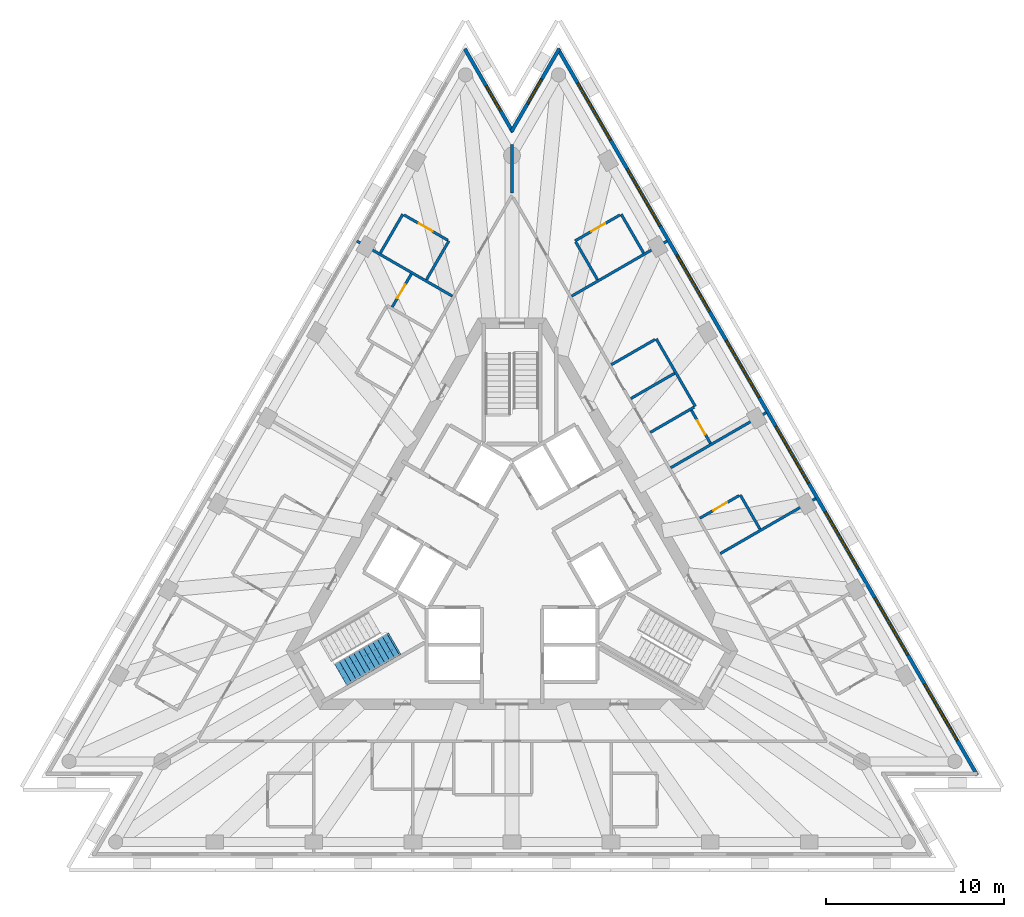
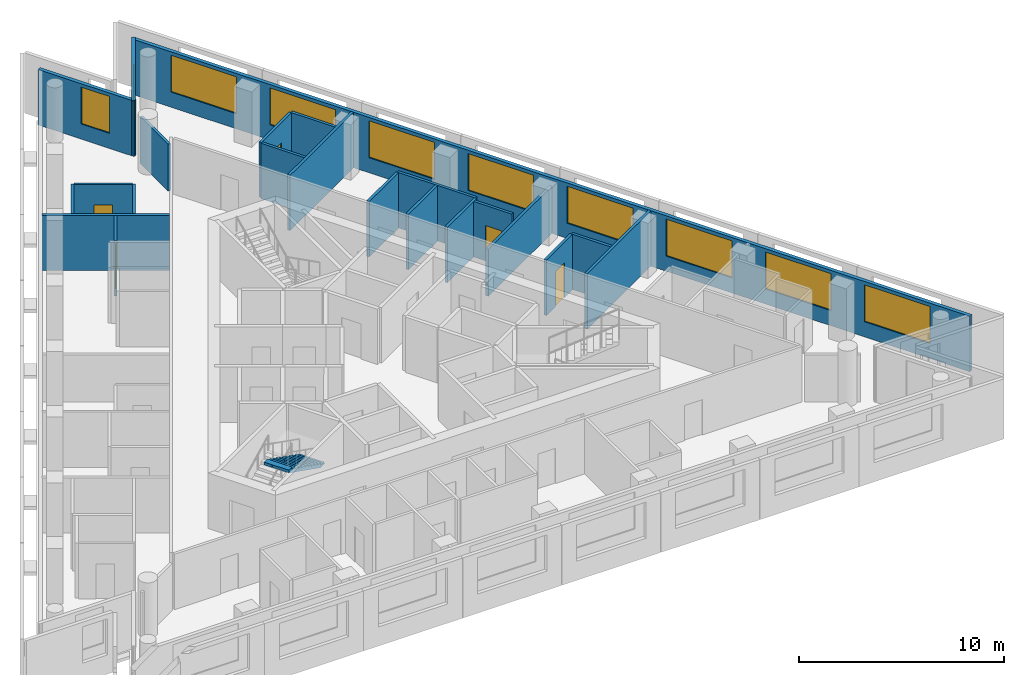
# One storey, part 7 of 10: 22 walls, 10 windows, 5 doors, 1 stair flight, 15 openings, 1 element without a shape of its own.
"""IFC4 building model written with IfcOpenShell, lengths in metres."""

from ifc_helpers import new_model, si_unit, direction, frame, frame_2d, origin, place, context, subcontext, project, spatial, polyline, rectangle, outline, extrude, material, layer, layer_set, layer_usage, type_object, element, fill, aggregate, save


model = new_model("IFC4")

# Units and contexts
model_context = context("Model", 3, precision=1e-05, world=origin(), true_north=direction((0.0, 1.0)))
body_context = subcontext(model_context, "Body", "Model", "MODEL_VIEW")
ifc_project = project(units=[si_unit("LENGTHUNIT", "METRE"), si_unit("AREAUNIT", "SQUARE_METRE"), si_unit("VOLUMEUNIT", "CUBIC_METRE"), si_unit("PLANEANGLEUNIT", "RADIAN"), si_unit("MASSUNIT", "GRAM", prefix="KILO")], contexts=[model_context])

# Site, building, storey
site_placement = place(None, origin())
site = spatial("IfcSite", under=ifc_project, at=site_placement, CompositionType="ELEMENT")
building_placement = place(site_placement, origin())
building = spatial("IfcBuilding", under=site, at=building_placement, Name="Triada Interchange Tower", CompositionType="ELEMENT")
storey_placement = place(building_placement, frame((0.0, 0.0, 275.5)))
storey = spatial("IfcBuildingStorey", under=building, at=storey_placement, Name="L64", CompositionType="ELEMENT", Elevation=275.5)

# Wall, openings, windows
ifc_material_1 = material(Name="Cement board")
ifc_layer_1 = layer(ifc_material_1, 0.02001953125, Name="Cement board cladding")
ifc_material_2 = material(Name="Sheathing board")
ifc_layer_2 = layer(ifc_material_2, 0.014892578125, Name="Sheathing board")
ifc_material_3 = material(Name="Mineral wool")
ifc_layer_3 = layer(ifc_material_3, 0.14990234375, Name="Mineral wool between steel studs")
ifc_material_4 = material(Name="Gypsum board")
ifc_layer_4 = layer(ifc_material_4, 0.014892578125, Name="Plasterboard lining")
ifc_layer_set_1 = layer_set([ifc_layer_1, ifc_layer_2, ifc_layer_3, ifc_layer_4], Name="External wall 200")
ifc_layer_usage = layer_usage(ifc_layer_set_1, "AXIS2", "POSITIVE", -0.10009765625)
wall_type_1 = type_object("IfcWallType", Name="External wall 200", PredefinedType="ELEMENTEDWALL", material=ifc_layer_set_1)
wall_1_placement = place(storey_placement, frame((26.205078125, -12.154052734375, 0.0), z_axis=(0.0, 0.0, 1.0), x_axis=(-0.49999909388, 0.866025926932, 0.0)))
wall_1 = element("IfcWall", 1, at=wall_1_placement, inside=storey, type_object=wall_type_1, material=ifc_layer_usage, Name="External wall L64 NE", PredefinedType="ELEMENTEDWALL", context=body_context, shape_type="SweptSolid", body=[
    extrude(rectangle(XDim=47.236328125, YDim=0.199951171875, at=frame_2d((23.6181640625, 0.0))), origin(), (0.0, 0.0, 1.0), 3.300048828125),
])
opening_1_placement = place(wall_1_placement, frame((2.242919921875, 0.0, 0.89990234375)))
opening_1 = element("IfcOpeningElement", 2, at=opening_1_placement, cuts=wall_1, Name="Opening WD21", PredefinedType="OPENING", context=body_context, shape_type="SweptSolid", body=[
    extrude(rectangle(XDim=3.699951171875, YDim=2.199951171875, at=frame_2d((1.85009765625, 1.10009765625))), frame((0.0, 0.10986328125, 0.0), z_axis=(0.0, -1.0, 0.0), x_axis=(1.0, 0.0, 0.0)), (0.0, 0.0, 1.0), 0.219970703125),
])
opening_2_placement = place(wall_1_placement, frame((7.824951171875, 0.0, 0.89990234375)))
opening_2 = element("IfcOpeningElement", 3, at=opening_2_placement, cuts=wall_1, Name="Opening WD22", PredefinedType="OPENING", context=body_context, shape_type="SweptSolid", body=[
    extrude(rectangle(XDim=3.699951171875, YDim=2.199951171875, at=frame_2d((1.85009765625, 1.10009765625))), frame((0.0, 0.10986328125, 0.0), z_axis=(0.0, -1.0, 0.0), x_axis=(1.0, 0.0, 0.0)), (0.0, 0.0, 1.0), 0.219970703125),
])
opening_3_placement = place(wall_1_placement, frame((13.406005859375, 0.0, 0.89990234375)))
opening_3 = element("IfcOpeningElement", 4, at=opening_3_placement, cuts=wall_1, Name="Opening WD23", PredefinedType="OPENING", context=body_context, shape_type="SweptSolid", body=[
    extrude(rectangle(XDim=3.699951171875, YDim=2.199951171875, at=frame_2d((1.85009765625, 1.10009765625))), frame((0.0, 0.10986328125, 0.0), z_axis=(0.0, -1.0, 0.0), x_axis=(1.0, 0.0, 0.0)), (0.0, 0.0, 1.0), 0.219970703125),
])
opening_4_placement = place(wall_1_placement, frame((18.987060546875, 0.0, 0.89990234375)))
opening_4 = element("IfcOpeningElement", 5, at=opening_4_placement, cuts=wall_1, Name="Opening WD24", PredefinedType="OPENING", context=body_context, shape_type="SweptSolid", body=[
    extrude(rectangle(XDim=3.699951171875, YDim=2.199951171875, at=frame_2d((1.85009765625, 1.10009765625))), frame((0.0, 0.10986328125, 0.0), z_axis=(0.0, -1.0, 0.0), x_axis=(1.0, 0.0, 0.0)), (0.0, 0.0, 1.0), 0.219970703125),
])
opening_5_placement = place(wall_1_placement, frame((24.569091796875, 0.0, 0.89990234375)))
opening_5 = element("IfcOpeningElement", 6, at=opening_5_placement, cuts=wall_1, Name="Opening WD25", PredefinedType="OPENING", context=body_context, shape_type="SweptSolid", body=[
    extrude(rectangle(XDim=3.699951171875, YDim=2.199951171875, at=frame_2d((1.85009765625, 1.10009765625))), frame((0.0, 0.10986328125, 0.0), z_axis=(0.0, -1.0, 0.0), x_axis=(1.0, 0.0, 0.0)), (0.0, 0.0, 1.0), 0.219970703125),
])
opening_6_placement = place(wall_1_placement, frame((30.14990234375, 0.0, 0.89990234375)))
opening_6 = element("IfcOpeningElement", 7, at=opening_6_placement, cuts=wall_1, Name="Opening WD26", PredefinedType="OPENING", context=body_context, shape_type="SweptSolid", body=[
    extrude(rectangle(XDim=3.699951171875, YDim=2.199951171875, at=frame_2d((1.85009765625, 1.10009765625))), frame((0.0, 0.10986328125, 0.0), z_axis=(0.0, -1.0, 0.0), x_axis=(1.0, 0.0, 0.0)), (0.0, 0.0, 1.0), 0.219970703125),
])
opening_7_placement = place(wall_1_placement, frame((35.73193359375, 0.0, 0.89990234375)))
opening_7 = element("IfcOpeningElement", 8, at=opening_7_placement, cuts=wall_1, Name="Opening WD27", PredefinedType="OPENING", context=body_context, shape_type="SweptSolid", body=[
    extrude(rectangle(XDim=3.699951171875, YDim=2.199951171875, at=frame_2d((1.85009765625, 1.10009765625))), frame((0.0, 0.10986328125, 0.0), z_axis=(0.0, -1.0, 0.0), x_axis=(1.0, 0.0, 0.0)), (0.0, 0.0, 1.0), 0.219970703125),
])
opening_8_placement = place(wall_1_placement, frame((41.31298828125, 0.0, 0.89990234375)))
opening_8 = element("IfcOpeningElement", 9, at=opening_8_placement, cuts=wall_1, Name="Opening WD28", PredefinedType="OPENING", context=body_context, shape_type="SweptSolid", body=[
    extrude(rectangle(XDim=3.699951171875, YDim=2.199951171875, at=frame_2d((1.85009765625, 1.10009765625))), frame((0.0, 0.10986328125, 0.0), z_axis=(0.0, -1.0, 0.0), x_axis=(1.0, 0.0, 0.0)), (0.0, 0.0, 1.0), 0.219970703125),
])
ifc_material_5 = material(Name="Double glazed aluminium window", Category="aluminium")
window_type_1 = type_object("IfcWindowType", Name="Ribbon window D face", PartitioningType="SINGLE_PANEL", PredefinedType="WINDOW", material=ifc_material_5)
window_1_placement = place(opening_1_placement, origin())
window_1 = element("IfcWindow", 10, at=window_1_placement, inside=storey, type_object=window_type_1, Name="Window L64 NE 1", OverallHeight=2.199951171875, OverallWidth=3.699951171875, PartitioningType="SINGLE_PANEL", PredefinedType="WINDOW", context=body_context, shape_type="SweptSolid", body=[
    extrude(rectangle(XDim=3.699951171875, YDim=2.199951171875, at=frame_2d((1.85009765625, 1.10009765625))), frame((0.0, 0.030029296875, 0.0), z_axis=(0.0, -1.0, 0.0), x_axis=(1.0, 0.0, 0.0)), (0.0, 0.0, 1.0), 0.06005859375),
])
fill(opening_1, window_1)
window_2_placement = place(opening_2_placement, origin())
window_2 = element("IfcWindow", 11, at=window_2_placement, inside=storey, type_object=window_type_1, Name="Window L64 NE 2", OverallHeight=2.199951171875, OverallWidth=3.699951171875, PartitioningType="SINGLE_PANEL", PredefinedType="WINDOW", context=body_context, shape_type="SweptSolid", body=[
    extrude(rectangle(XDim=3.699951171875, YDim=2.199951171875, at=frame_2d((1.85009765625, 1.10009765625))), frame((0.0, 0.030029296875, 0.0), z_axis=(0.0, -1.0, 0.0), x_axis=(1.0, 0.0, 0.0)), (0.0, 0.0, 1.0), 0.06005859375),
])
fill(opening_2, window_2)
window_3_placement = place(opening_3_placement, origin())
window_3 = element("IfcWindow", 12, at=window_3_placement, inside=storey, type_object=window_type_1, Name="Window L64 NE 3", OverallHeight=2.199951171875, OverallWidth=3.699951171875, PartitioningType="SINGLE_PANEL", PredefinedType="WINDOW", context=body_context, shape_type="SweptSolid", body=[
    extrude(rectangle(XDim=3.699951171875, YDim=2.199951171875, at=frame_2d((1.85009765625, 1.10009765625))), frame((0.0, 0.030029296875, 0.0), z_axis=(0.0, -1.0, 0.0), x_axis=(1.0, 0.0, 0.0)), (0.0, 0.0, 1.0), 0.06005859375),
])
fill(opening_3, window_3)
window_4_placement = place(opening_4_placement, origin())
window_4 = element("IfcWindow", 13, at=window_4_placement, inside=storey, type_object=window_type_1, Name="Window L64 NE 4", OverallHeight=2.199951171875, OverallWidth=3.699951171875, PartitioningType="SINGLE_PANEL", PredefinedType="WINDOW", context=body_context, shape_type="SweptSolid", body=[
    extrude(rectangle(XDim=3.699951171875, YDim=2.199951171875, at=frame_2d((1.85009765625, 1.10009765625))), frame((0.0, 0.030029296875, 0.0), z_axis=(0.0, -1.0, 0.0), x_axis=(1.0, 0.0, 0.0)), (0.0, 0.0, 1.0), 0.06005859375),
])
fill(opening_4, window_4)
window_5_placement = place(opening_5_placement, origin())
window_5 = element("IfcWindow", 14, at=window_5_placement, inside=storey, type_object=window_type_1, Name="Window L64 NE 5", OverallHeight=2.199951171875, OverallWidth=3.699951171875, PartitioningType="SINGLE_PANEL", PredefinedType="WINDOW", context=body_context, shape_type="SweptSolid", body=[
    extrude(rectangle(XDim=3.699951171875, YDim=2.199951171875, at=frame_2d((1.85009765625, 1.10009765625))), frame((0.0, 0.030029296875, 0.0), z_axis=(0.0, -1.0, 0.0), x_axis=(1.0, 0.0, 0.0)), (0.0, 0.0, 1.0), 0.06005859375),
])
fill(opening_5, window_5)
window_6_placement = place(opening_6_placement, origin())
window_6 = element("IfcWindow", 15, at=window_6_placement, inside=storey, type_object=window_type_1, Name="Window L64 NE 6", OverallHeight=2.199951171875, OverallWidth=3.699951171875, PartitioningType="SINGLE_PANEL", PredefinedType="WINDOW", context=body_context, shape_type="SweptSolid", body=[
    extrude(rectangle(XDim=3.699951171875, YDim=2.199951171875, at=frame_2d((1.85009765625, 1.10009765625))), frame((0.0, 0.030029296875, 0.0), z_axis=(0.0, -1.0, 0.0), x_axis=(1.0, 0.0, 0.0)), (0.0, 0.0, 1.0), 0.06005859375),
])
fill(opening_6, window_6)
window_7_placement = place(opening_7_placement, origin())
window_7 = element("IfcWindow", 16, at=window_7_placement, inside=storey, type_object=window_type_1, Name="Window L64 NE 7", OverallHeight=2.199951171875, OverallWidth=3.699951171875, PartitioningType="SINGLE_PANEL", PredefinedType="WINDOW", context=body_context, shape_type="SweptSolid", body=[
    extrude(rectangle(XDim=3.699951171875, YDim=2.199951171875, at=frame_2d((1.85009765625, 1.10009765625))), frame((0.0, 0.030029296875, 0.0), z_axis=(0.0, -1.0, 0.0), x_axis=(1.0, 0.0, 0.0)), (0.0, 0.0, 1.0), 0.06005859375),
])
fill(opening_7, window_7)
window_8_placement = place(opening_8_placement, origin())
window_8 = element("IfcWindow", 17, at=window_8_placement, inside=storey, type_object=window_type_1, Name="Window L64 NE 8", OverallHeight=2.199951171875, OverallWidth=3.699951171875, PartitioningType="SINGLE_PANEL", PredefinedType="WINDOW", context=body_context, shape_type="SweptSolid", body=[
    extrude(rectangle(XDim=3.699951171875, YDim=2.199951171875, at=frame_2d((1.85009765625, 1.10009765625))), frame((0.0, 0.030029296875, 0.0), z_axis=(0.0, -1.0, 0.0), x_axis=(1.0, 0.0, 0.0)), (0.0, 0.0, 1.0), 0.06005859375),
])
fill(opening_8, window_8)

# Wall, opening, window
wall_2_placement = place(storey_placement, frame((2.6669921875, 28.77099609375, 0.0), z_axis=(0.0, 0.0, 1.0), x_axis=(-0.500070558953, -0.865984662721, 0.0)))
wall_2 = element("IfcWall", 18, at=wall_2_placement, inside=storey, type_object=wall_type_1, material=ifc_layer_usage, Name="External wall L64 N-1", PredefinedType="ELEMENTEDWALL", context=body_context, shape_type="SweptSolid", body=[
    extrude(rectangle(XDim=5.403076171875, YDim=0.199951171875, at=frame_2d((2.70166015625, 0.0))), origin(), (0.0, 0.0, 1.0), 3.300048828125),
])
opening_9_placement = place(wall_2_placement, frame((1.989990234375, 0.0, 0.89990234375)))
opening_9 = element("IfcOpeningElement", 19, at=opening_9_placement, cuts=wall_2, Name="Opening WD29", PredefinedType="OPENING", context=body_context, shape_type="SweptSolid", body=[
    extrude(rectangle(XDim=1.60009765625, YDim=2.199951171875, at=frame_2d((0.800048828125, 1.10009765625))), frame((0.0, 0.10986328125, 0.0), z_axis=(0.0, -1.0, 0.0), x_axis=(1.0, 0.0, 0.0)), (0.0, 0.0, 1.0), 0.219970703125),
])
window_type_2 = type_object("IfcWindowType", Name="Ribbon window D pocket", PartitioningType="SINGLE_PANEL", PredefinedType="WINDOW", material=ifc_material_5)
window_9_placement = place(opening_9_placement, origin())
window_9 = element("IfcWindow", 20, at=window_9_placement, inside=storey, type_object=window_type_2, Name="Window L64 N-1 1", OverallHeight=2.199951171875, OverallWidth=1.60009765625, PartitioningType="SINGLE_PANEL", PredefinedType="WINDOW", context=body_context, shape_type="SweptSolid", body=[
    extrude(rectangle(XDim=1.60009765625, YDim=2.199951171875, at=frame_2d((0.800048828125, 1.10009765625))), frame((0.0, 0.030029296875, 0.0), z_axis=(0.0, -1.0, 0.0), x_axis=(1.0, 0.0, 0.0)), (0.0, 0.0, 1.0), 0.06005859375),
])
fill(opening_9, window_9)

wall_3_placement = place(storey_placement, frame((0.044921875, 24.074951171875, 0.0), z_axis=(0.0, 0.0, 1.0), x_axis=(-0.500070558953, 0.865984662721, 0.0)))
wall_3 = element("IfcWall", 21, at=wall_3_placement, inside=storey, type_object=wall_type_1, material=ifc_layer_usage, Name="External wall L64 N-2", PredefinedType="ELEMENTEDWALL", context=body_context, shape_type="SweptSolid", body=[
    extrude(rectangle(XDim=5.403076171875, YDim=0.199951171875, at=frame_2d((2.70166015625, 0.0))), origin(), (0.0, 0.0, 1.0), 3.300048828125),
])
opening_10_placement = place(wall_3_placement, frame((1.389892578125, 0.0, 0.89990234375)))
opening_10 = element("IfcOpeningElement", 22, at=opening_10_placement, cuts=wall_3, Name="Opening WD30", PredefinedType="OPENING", context=body_context, shape_type="SweptSolid", body=[
    extrude(rectangle(XDim=1.60009765625, YDim=2.199951171875, at=frame_2d((0.800048828125, 1.10009765625))), frame((0.0, 0.10986328125, 0.0), z_axis=(0.0, -1.0, 0.0), x_axis=(1.0, 0.0, 0.0)), (0.0, 0.0, 1.0), 0.219970703125),
])
window_10_placement = place(opening_10_placement, origin())
window_10 = element("IfcWindow", 23, at=window_10_placement, inside=storey, type_object=window_type_2, Name="Window L64 N-2 1", OverallHeight=2.199951171875, OverallWidth=1.60009765625, PartitioningType="SINGLE_PANEL", PredefinedType="WINDOW", context=body_context, shape_type="SweptSolid", body=[
    extrude(rectangle(XDim=1.60009765625, YDim=2.199951171875, at=frame_2d((0.800048828125, 1.10009765625))), frame((0.0, 0.030029296875, 0.0), z_axis=(0.0, -1.0, 0.0), x_axis=(1.0, 0.0, 0.0)), (0.0, 0.0, 1.0), 0.06005859375),
])
fill(opening_10, window_10)

# Walls
ifc_material_6 = material(Name="Gypsum board partition")
ifc_layer_5 = layer(ifc_material_6, 0.14990234375)
ifc_layer_set_2 = layer_set([ifc_layer_5], Name="PARTITION 150 EI 180")
wall_type_2 = type_object("IfcWallType", Name="PARTITION 150 EI 180", PredefinedType="PARTITIONING", material=ifc_layer_set_2)
wall_4_placement = place(storey_placement, frame((8.94189453125, 5.162109375, 0.0), z_axis=(0.0, 0.0, 1.0), x_axis=(0.866004272968, 0.500036597862, 0.0)))
element("IfcWall", 24, at=wall_4_placement, inside=storey, type_object=wall_type_2, Name="Wall L62 2", PredefinedType="PARTITIONING", context=body_context, shape_type="SweptSolid", body=[
    extrude(rectangle(XDim=6.21142578125, YDim=0.14990234375, at=frame_2d((3.105712890625, 0.0))), origin(), (0.0, 0.0, 1.0), 2.800048828125),
])
wall_5_placement = place(storey_placement, frame((-8.739990234375, 17.93603515625, 0.0), z_axis=(0.0, 0.0, 1.0), x_axis=(0.866033751423, -0.499985541187, 0.0)))
element("IfcWall", 25, at=wall_5_placement, inside=storey, type_object=wall_type_2, Name="Wall L62 10", PredefinedType="PARTITIONING", context=body_context, shape_type="SweptSolid", body=[
    extrude(rectangle(XDim=6.212158203125, YDim=0.14990234375, at=frame_2d((3.10595703125, 0.0))), origin(), (0.0, 0.0, 1.0), 3.300048828125),
])
wall_6_placement = place(storey_placement, frame((0.0, 20.64990234375, 0.0), z_axis=(0.0, 0.0, 1.0), x_axis=(0.0, 1.0, 0.0)))
element("IfcWall", 26, at=wall_6_placement, inside=storey, type_object=wall_type_2, Name="Wall L62 21", PredefinedType="PARTITIONING", context=body_context, shape_type="SweptSolid", body=[
    extrude(rectangle(XDim=2.72314453125, YDim=0.14990234375, at=frame_2d((1.361572265625, 0.0))), origin(), (0.0, 0.0, 1.0), 2.800048828125),
])
wall_7_placement = place(storey_placement, frame((3.360107421875, 14.830078125, 0.0), z_axis=(0.0, 0.0, 1.0), x_axis=(0.866033751423, 0.499985541187, 0.0)))
element("IfcWall", 27, at=wall_7_placement, inside=storey, type_object=wall_type_2, Name="Wall L62 23", PredefinedType="PARTITIONING", context=body_context, shape_type="SweptSolid", body=[
    extrude(rectangle(XDim=6.212158203125, YDim=0.14990234375, at=frame_2d((3.10595703125, 0.0))), origin(), (0.0, 0.0, 1.0), 3.300048828125),
])
wall_8_placement = place(storey_placement, frame((8.125, 12.427001953125, 0.0), z_axis=(0.0, 0.0, 1.0), x_axis=(0.500036278648, -0.866004457284, 0.0)))
element("IfcWall", 28, at=wall_8_placement, inside=storey, type_object=wall_type_2, Name="Wall L62 24", PredefinedType="PARTITIONING", context=body_context, shape_type="SweptSolid", body=[
    extrude(rectangle(XDim=4.399658203125, YDim=0.14990234375, at=frame_2d((2.19970703125, 0.0))), origin(), (0.0, 0.0, 1.0), 3.300048828125),
])
for number, where, z_axis, x_axis, name in (
    (29, (5.592041015625, 10.965087890625, 0.0), (0.0, 0.0, 1.0), (0.866041498374, 0.499972122318, 0.0), "Wall L62 25"),
    (30, (6.69189453125, 9.05908203125, 0.0), (0.0, 0.0, 1.0), (0.866041498374, 0.499972122318, 0.0), "Wall L62 27"),
    (31, (7.7919921875, 7.154052734375, 0.0), (0.0, 0.0, 1.0), (0.866004402611, 0.500036373335, 0.0), "Wall L62 28"),
):
    element("IfcWall", number, at=place(storey_placement, frame(where, z_axis=z_axis, x_axis=x_axis)), inside=storey, type_object=wall_type_2, Name=name, PredefinedType="PARTITIONING", context=body_context, shape_type="SweptSolid", body=[
        extrude(rectangle(XDim=2.849853515625, YDim=0.14990234375, at=frame_2d((1.4248046875, 0.0))), origin(), (0.0, 0.0, 1.0), 3.300048828125),
    ])
wall_9_placement = place(storey_placement, frame((11.73193359375, 0.3291015625, 0.0), z_axis=(0.0, 0.0, 1.0), x_axis=(0.866043575568, 0.499968524226, 0.0)))
element("IfcWall", 32, at=wall_9_placement, inside=storey, type_object=wall_type_2, Name="Wall L62 29", PredefinedType="PARTITIONING", context=body_context, shape_type="SweptSolid", body=[
    extrude(rectangle(XDim=6.21240234375, YDim=0.14990234375, at=frame_2d((3.106201171875, 0.0))), origin(), (0.0, 0.0, 1.0), 3.300048828125),
])
ifc_layer_6 = layer(ifc_material_6, 0.14990234375)
ifc_layer_set_3 = layer_set([ifc_layer_6], Name="PARTITION 150 EI 90")
wall_type_3 = type_object("IfcWallType", Name="PARTITION 150 EI 90", PredefinedType="PARTITIONING", material=ifc_layer_set_3)
for number, where, z_axis, x_axis, name in (
    (33, (-4.81689453125, 15.757080078125, 0.0), (0.0, 0.0, 1.0), (0.500079482444, 0.865979509711, 0.0), "Wall L62 35"),
    (34, (-7.4150390625, 17.257080078125, 0.0), (0.0, 0.0, 1.0), (0.500079482444, 0.865979509711, 0.0), "Wall L62 37"),
):
    element("IfcWall", number, at=place(storey_placement, frame(where, z_axis=z_axis, x_axis=x_axis)), inside=storey, type_object=wall_type_3, Name=name, PredefinedType="PARTITIONING", context=body_context, shape_type="SweptSolid", body=[
        extrude(rectangle(XDim=2.525390625, YDim=0.14990234375, at=frame_2d((1.2626953125, 0.0))), origin(), (0.0, 0.0, 1.0), 3.300048828125),
    ])

# Wall, opening, door
wall_10_placement = place(storey_placement, frame((-6.74609375, 14.216064453125, 0.0), z_axis=(0.0, 0.0, 1.0), x_axis=(0.500095966228, 0.865969990567, 0.0)))
wall_10 = element("IfcWall", 35, at=wall_10_placement, inside=storey, type_object=wall_type_3, Name="Wall L62 40", PredefinedType="PARTITIONING", context=body_context, shape_type="SweptSolid", body=[
    extrude(rectangle(XDim=2.14990234375, YDim=0.14990234375, at=frame_2d((1.074951171875, 0.0))), origin(), (0.0, 0.0, 1.0), 3.300048828125),
])
opening_11_placement = place(wall_10_placement, frame((0.574951171875, 0.0, 0.0)))
opening_11 = element("IfcOpeningElement", 36, at=opening_11_placement, cuts=wall_10, Name="Opening D62-37", PredefinedType="OPENING", context=body_context, shape_type="SweptSolid", body=[
    extrude(rectangle(XDim=0.89990234375, YDim=2.10009765625, at=frame_2d((0.449951171875, 1.050048828125))), frame((0.0, 0.0849609375, 0.0), z_axis=(0.0, -1.0, 0.0), x_axis=(1.0, 0.0, 0.0)), (0.0, 0.0, 1.0), 0.169921875),
])
ifc_material_7 = material(Name="Steel S235 door leaf", Category="steel")
door_type = type_object("IfcDoorType", Name="ROOM DOOR 900 EI2 45-C5S200", OperationType="NOTDEFINED", PredefinedType="DOOR", material=ifc_material_7)
door_1_placement = place(opening_11_placement, origin())
door_1 = element("IfcDoor", 37, at=door_1_placement, inside=storey, type_object=door_type, Name="Door D62-37 L64", OperationType="SINGLE_SWING_LEFT", OverallHeight=2.10009765625, OverallWidth=0.89990234375, PredefinedType="DOOR", context=body_context, shape_type="SweptSolid", body=[
    extrude(rectangle(XDim=0.89990234375, YDim=2.10009765625, at=frame_2d((0.449951171875, 1.050048828125))), frame((0.0, 0.02490234375, 0.0), z_axis=(0.0, -1.0, 0.0), x_axis=(1.0, 0.0, 0.0)), (0.0, 0.0, 1.0), 0.050048828125),
])
fill(opening_11, door_1)

wall_11_placement = place(storey_placement, frame((-6.0869140625, 19.406982421875, 0.0), z_axis=(0.0, 0.0, 1.0), x_axis=(0.866004402611, -0.500036373335, 0.0)))
wall_11 = element("IfcWall", 38, at=wall_11_placement, inside=storey, type_object=wall_type_3, Name="Wall L62 51", PredefinedType="PARTITIONING", context=body_context, shape_type="SweptSolid", body=[
    extrude(rectangle(XDim=2.849853515625, YDim=0.14990234375, at=frame_2d((1.4248046875, 0.0))), origin(), (0.0, 0.0, 1.0), 3.300048828125),
])
opening_12_placement = place(wall_11_placement, frame((0.97509765625, 0.0, 0.0)))
opening_12 = element("IfcOpeningElement", 39, at=opening_12_placement, cuts=wall_11, Name="Opening D62-35", PredefinedType="OPENING", context=body_context, shape_type="SweptSolid", body=[
    extrude(rectangle(XDim=0.89990234375, YDim=2.10009765625, at=frame_2d((0.449951171875, 1.050048828125))), frame((0.0, 0.0849609375, 0.0), z_axis=(0.0, -1.0, 0.0), x_axis=(1.0, 0.0, 0.0)), (0.0, 0.0, 1.0), 0.169921875),
])
door_2_placement = place(opening_12_placement, origin())
door_2 = element("IfcDoor", 40, at=door_2_placement, inside=storey, type_object=door_type, Name="Door D62-35 L64", OperationType="SINGLE_SWING_RIGHT", OverallHeight=2.10009765625, OverallWidth=0.89990234375, PredefinedType="DOOR", context=body_context, shape_type="SweptSolid", body=[
    extrude(rectangle(XDim=0.89990234375, YDim=2.10009765625, at=frame_2d((0.449951171875, 1.050048828125))), frame((0.0, 0.02490234375, 0.0), z_axis=(0.0, -1.0, 0.0), x_axis=(1.0, 0.0, 0.0)), (0.0, 0.0, 1.0), 0.050048828125),
])
fill(opening_12, door_2)

# Wall
wall_12_placement = place(storey_placement, frame((6.152099609375, 19.444091796875, 0.0), z_axis=(0.0, 0.0, 1.0), x_axis=(0.500079482444, -0.865979509711, 0.0)))
element("IfcWall", 41, at=wall_12_placement, inside=storey, type_object=wall_type_3, Name="Wall L62 52", PredefinedType="PARTITIONING", context=body_context, shape_type="SweptSolid", body=[
    extrude(rectangle(XDim=2.525390625, YDim=0.14990234375, at=frame_2d((1.2626953125, 0.0))), origin(), (0.0, 0.0, 1.0), 3.300048828125),
])

# Wall, opening, door
wall_13_placement = place(storey_placement, frame((3.553955078125, 17.944091796875, 0.0), z_axis=(0.0, 0.0, 1.0), x_axis=(0.865953438489, 0.500124626836, 0.0)))
wall_13 = element("IfcWall", 42, at=wall_13_placement, inside=storey, type_object=wall_type_3, Name="Wall L62 54", PredefinedType="PARTITIONING", context=body_context, shape_type="SweptSolid", body=[
    extrude(rectangle(XDim=2.925048828125, YDim=0.14990234375, at=frame_2d((1.46240234375, 0.0))), origin(), (0.0, 0.0, 1.0), 3.300048828125),
])
opening_13_placement = place(wall_13_placement, frame((1.050048828125, 0.0, 0.0)))
opening_13 = element("IfcOpeningElement", 43, at=opening_13_placement, cuts=wall_13, Name="Opening D62-33", PredefinedType="OPENING", context=body_context, shape_type="SweptSolid", body=[
    extrude(rectangle(XDim=0.89990234375, YDim=2.10009765625, at=frame_2d((0.449951171875, 1.050048828125))), frame((0.0, 0.0849609375, 0.0), z_axis=(0.0, -1.0, 0.0), x_axis=(1.0, 0.0, 0.0)), (0.0, 0.0, 1.0), 0.169921875),
])
door_3_placement = place(opening_13_placement, origin())
door_3 = element("IfcDoor", 44, at=door_3_placement, inside=storey, type_object=door_type, Name="Door D62-33 L64", OperationType="SINGLE_SWING_LEFT", OverallHeight=2.10009765625, OverallWidth=0.89990234375, PredefinedType="DOOR", context=body_context, shape_type="SweptSolid", body=[
    extrude(rectangle(XDim=0.89990234375, YDim=2.10009765625, at=frame_2d((0.449951171875, 1.050048828125))), frame((0.0, 0.02490234375, 0.0), z_axis=(0.0, -1.0, 0.0), x_axis=(1.0, 0.0, 0.0)), (0.0, 0.0, 1.0), 0.050048828125),
])
fill(opening_13, door_3)

# Wall
wall_14_placement = place(storey_placement, frame((3.592041015625, 17.87890625, 0.0), z_axis=(0.0, 0.0, 1.0), x_axis=(0.499943856944, -0.866057815567, 0.0)))
element("IfcWall", 45, at=wall_14_placement, inside=storey, type_object=wall_type_3, Name="Wall L62 55", PredefinedType="PARTITIONING", context=body_context, shape_type="SweptSolid", body=[
    extrude(rectangle(XDim=2.449951171875, YDim=0.14990234375, at=frame_2d((1.22509765625, 0.0))), origin(), (0.0, 0.0, 1.0), 3.300048828125),
])

# Wall, opening, door
wall_15_placement = place(storey_placement, frame((10.10302734375, 8.402099609375, 0.0), z_axis=(0.0, 0.0, 1.0), x_axis=(0.499961633463, -0.866047553582, 0.0)))
wall_15 = element("IfcWall", 46, at=wall_15_placement, inside=storey, type_object=wall_type_3, Name="Wall L62 58", PredefinedType="PARTITIONING", context=body_context, shape_type="SweptSolid", body=[
    extrude(rectangle(XDim=2.150146484375, YDim=0.14990234375, at=frame_2d((1.0751953125, 0.0))), origin(), (0.0, 0.0, 1.0), 3.300048828125),
])
opening_14_placement = place(wall_15_placement, frame((0.675048828125, 0.0, 0.0)))
opening_14 = element("IfcOpeningElement", 47, at=opening_14_placement, cuts=wall_15, Name="Opening D62-29", PredefinedType="OPENING", context=body_context, shape_type="SweptSolid", body=[
    extrude(rectangle(XDim=0.89990234375, YDim=2.10009765625, at=frame_2d((0.449951171875, 1.050048828125))), frame((0.0, 0.0849609375, 0.0), z_axis=(0.0, -1.0, 0.0), x_axis=(1.0, 0.0, 0.0)), (0.0, 0.0, 1.0), 0.169921875),
])
door_4_placement = place(opening_14_placement, origin())
door_4 = element("IfcDoor", 48, at=door_4_placement, inside=storey, type_object=door_type, Name="Door D62-29 L64", OperationType="SINGLE_SWING_LEFT", OverallHeight=2.10009765625, OverallWidth=0.89990234375, PredefinedType="DOOR", context=body_context, shape_type="SweptSolid", body=[
    extrude(rectangle(XDim=0.89990234375, YDim=2.10009765625, at=frame_2d((0.449951171875, 1.050048828125))), frame((0.0, 0.02490234375, 0.0), z_axis=(0.0, -1.0, 0.0), x_axis=(1.0, 0.0, 0.0)), (0.0, 0.0, 1.0), 0.050048828125),
])
fill(opening_14, door_4)

# Wall
wall_16_placement = place(storey_placement, frame((12.85595703125, 3.633056640625, 0.0), z_axis=(0.0, 0.0, 1.0), x_axis=(0.500023359282, -0.866011916877, 0.0)))
element("IfcWall", 49, at=wall_16_placement, inside=storey, type_object=wall_type_3, Name="Wall L62 59", PredefinedType="PARTITIONING", context=body_context, shape_type="SweptSolid", body=[
    extrude(rectangle(XDim=2.22412109375, YDim=0.14990234375, at=frame_2d((1.112060546875, 0.0))), origin(), (0.0, 0.0, 1.0), 3.300048828125),
])

# Wall, opening, door
wall_17_placement = place(storey_placement, frame((10.58203125, 2.321044921875, 0.0), z_axis=(0.0, 0.0, 1.0), x_axis=(0.866102706185, 0.499866084405, 0.0)))
wall_17 = element("IfcWall", 50, at=wall_17_placement, inside=storey, type_object=wall_type_3, Name="Wall L62 61", PredefinedType="PARTITIONING", context=body_context, shape_type="SweptSolid", body=[
    extrude(rectangle(XDim=2.550537109375, YDim=0.14990234375, at=frame_2d((1.275390625, 0.0))), origin(), (0.0, 0.0, 1.0), 3.300048828125),
])
opening_15_placement = place(wall_17_placement, frame((0.875, 0.0, 0.0)))
opening_15 = element("IfcOpeningElement", 51, at=opening_15_placement, cuts=wall_17, Name="Opening D62-27", PredefinedType="OPENING", context=body_context, shape_type="SweptSolid", body=[
    extrude(rectangle(XDim=0.89990234375, YDim=2.10009765625, at=frame_2d((0.449951171875, 1.050048828125))), frame((0.0, 0.0849609375, 0.0), z_axis=(0.0, -1.0, 0.0), x_axis=(1.0, 0.0, 0.0)), (0.0, 0.0, 1.0), 0.169921875),
])
door_5_placement = place(opening_15_placement, origin())
door_5 = element("IfcDoor", 52, at=door_5_placement, inside=storey, type_object=door_type, Name="Door D62-27 L64", OperationType="SINGLE_SWING_RIGHT", OverallHeight=2.10009765625, OverallWidth=0.89990234375, PredefinedType="DOOR", context=body_context, shape_type="SweptSolid", body=[
    extrude(rectangle(XDim=0.89990234375, YDim=2.10009765625, at=frame_2d((0.449951171875, 1.050048828125))), frame((0.0, 0.02490234375, 0.0), z_axis=(0.0, -1.0, 0.0), x_axis=(1.0, 0.0, 0.0)), (0.0, 0.0, 1.0), 0.050048828125),
])
fill(opening_15, door_5)

# Stair, stair flight
ifc_material_8 = material(Name="Concrete C35/45", Category="concrete")
stair_type = type_object("IfcStairType", Name="HALF TURN STAIR 1400", PredefinedType="HALF_TURN_STAIR", material=ifc_material_8)
stair_placement = place(storey_placement, origin())
stair = element("IfcStair", 53, at=stair_placement, inside=storey, type_object=stair_type, Name="Exit stair S62-2", PredefinedType="HALF_TURN_STAIR")
stair_flight_type = type_object("IfcStairFlightType", Name="STRAIGHT STAIR FLIGHT 1400", PredefinedType="STRAIGHT", material=ifc_material_8)
stair_flight_placement = place(storey_placement, frame((-6.693115234375, -4.7880859375, 1.7216796875), z_axis=(0.0, 0.0, 1.0), x_axis=(-0.866025403784, -0.5, 0.0)))
stair_flight = element("IfcStairFlight", 54, at=stair_flight_placement, type_object=stair_flight_type, Name="S62-2 flight 2", NumberOfRisers=12, NumberOfTreads=11, PredefinedType="STRAIGHT", RiserHeight=0.15652, TreadLength=0.31, context=body_context, shape_type="SweptSolid", body=[
    extrude(outline(polyline([(-0.10009765625, 0.0), (-0.10009765625, 0.02001953125), (0.0, 0.02001953125), (0.0, 0.156494140625), (0.31005859375, 0.156494140625), (0.31005859375, 0.31298828125), (0.6201171875, 0.31298828125), (0.6201171875, 0.469482421875), (0.929931640625, 0.469482421875), (0.929931640625, 0.6259765625), (1.239990234375, 0.6259765625), (1.239990234375, 0.78271484375), (1.550048828125, 0.78271484375), (1.550048828125, 0.939208984375), (1.860107421875, 0.939208984375), (1.860107421875, 1.095703125), (2.169921875, 1.095703125), (2.169921875, 1.252197265625), (2.47998046875, 1.252197265625), (2.47998046875, 1.40869140625), (2.7900390625, 1.40869140625), (2.7900390625, 1.565185546875), (3.10009765625, 1.565185546875), (3.10009765625, 1.7216796875), (3.409912109375, 1.7216796875), (3.4140625, 1.7216796875), (3.4140625, 1.878173828125), (3.4140625, 1.5537109375), (0.33251953125, 0.0), (-0.10009765625, 0.0)])), frame((0.0, 0.699951171875, 0.0), z_axis=(0.0, -1.0, 0.0), x_axis=(1.0, 0.0, 0.0)), (0.0, 0.0, 1.0), 0.46533203125),
    extrude(outline(polyline([(-0.10009765625, 0.0), (-0.10009765625, 0.02001953125), (0.0, 0.02001953125), (0.0, 0.156494140625), (0.31005859375, 0.156494140625), (0.31005859375, 0.31298828125), (0.6201171875, 0.31298828125), (0.6201171875, 0.469482421875), (0.929931640625, 0.469482421875), (0.929931640625, 0.6259765625), (1.239990234375, 0.6259765625), (1.239990234375, 0.78271484375), (1.550048828125, 0.78271484375), (1.550048828125, 0.939208984375), (1.860107421875, 0.939208984375), (1.860107421875, 1.095703125), (2.169921875, 1.095703125), (2.169921875, 1.252197265625), (2.47998046875, 1.252197265625), (2.47998046875, 1.40869140625), (2.7900390625, 1.40869140625), (2.7900390625, 1.565185546875), (3.10009765625, 1.565185546875), (3.10009765625, 1.7216796875), (3.409912109375, 1.7216796875), (3.4140625, 1.7216796875), (3.4140625, 1.878173828125), (3.4140625, 1.5537109375), (0.33251953125, 0.0), (-0.10009765625, 0.0)])), frame((0.0, 0.232666015625, 0.0), z_axis=(0.0, -1.0, 0.0), x_axis=(1.0, 0.0, 0.0)), (0.0, 0.0, 1.0), 0.46533203125),
    extrude(outline(polyline([(-0.10009765625, 0.0), (-0.10009765625, 0.02001953125), (0.0, 0.02001953125), (0.0, 0.156494140625), (0.31005859375, 0.156494140625), (0.31005859375, 0.31298828125), (0.6201171875, 0.31298828125), (0.6201171875, 0.469482421875), (0.929931640625, 0.469482421875), (0.929931640625, 0.6259765625), (1.239990234375, 0.6259765625), (1.239990234375, 0.78271484375), (1.550048828125, 0.78271484375), (1.550048828125, 0.939208984375), (1.860107421875, 0.939208984375), (1.860107421875, 1.095703125), (2.169921875, 1.095703125), (2.169921875, 1.252197265625), (2.47998046875, 1.252197265625), (2.47998046875, 1.40869140625), (2.7900390625, 1.40869140625), (2.7900390625, 1.565185546875), (3.10009765625, 1.565185546875), (3.10009765625, 1.7216796875), (3.409912109375, 1.7216796875), (3.4140625, 1.7216796875), (3.4140625, 1.878173828125), (3.4140625, 1.5537109375), (0.33251953125, 0.0), (-0.10009765625, 0.0)])), frame((0.0, -0.234619140625, 0.0), z_axis=(0.0, -1.0, 0.0), x_axis=(1.0, 0.0, 0.0)), (0.0, 0.0, 1.0), 0.46533203125),
])
aggregate(stair, [stair_flight])

save(model, "model.ifc")
